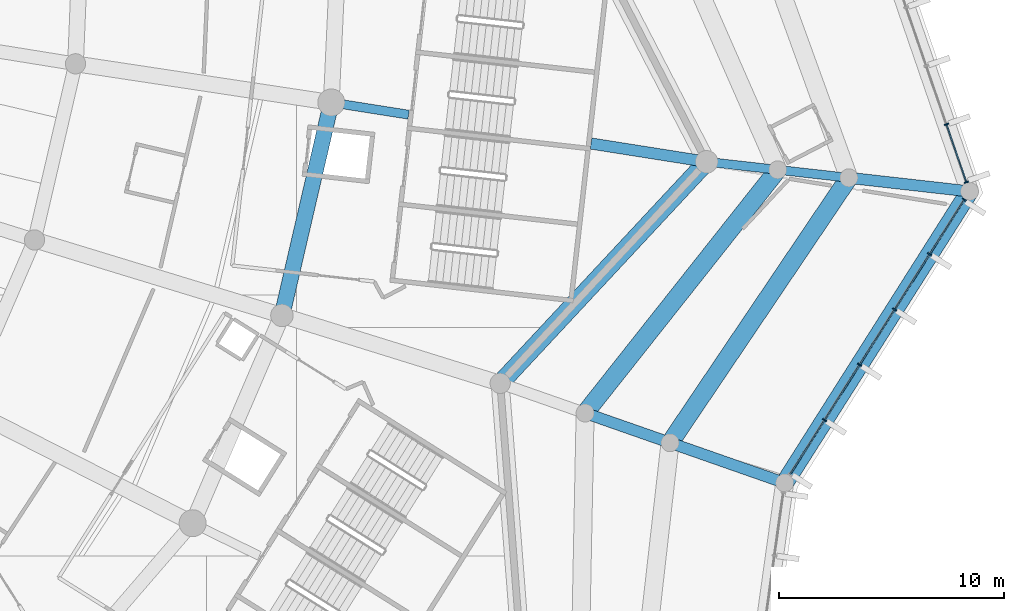
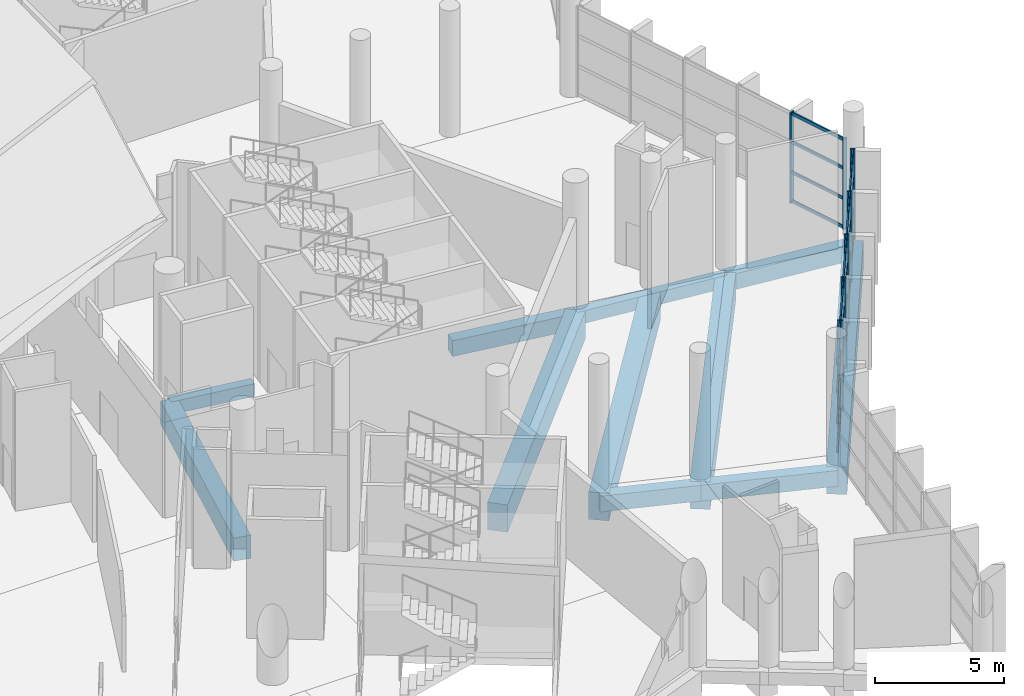
# One storey, part 40 of 249: 31 members, 12 beams, 2 elements without a shape of their own.
"""IFC4 building model written with IfcOpenShell, lengths in metres."""

from ifc_helpers import new_model, si_unit, direction, frame, origin, origin_2d, place, context, subcontext, project, spatial, rectangle, extrude, material, layer, layer_set, material_profile, profile_set, type_object, element, aggregate, save


model = new_model("IFC4")

# Units and contexts
model_context = context("Model", 3, precision=1e-05, world=origin(), true_north=direction((0.0, 1.0)))
body_context = subcontext(model_context, "Body", "Model", "MODEL_VIEW")
ifc_project = project(units=[si_unit("LENGTHUNIT", "METRE"), si_unit("AREAUNIT", "SQUARE_METRE"), si_unit("VOLUMEUNIT", "CUBIC_METRE"), si_unit("PLANEANGLEUNIT", "RADIAN"), si_unit("MASSUNIT", "GRAM", prefix="KILO")], contexts=[model_context])

# Site, building, storey
site_placement = place(None, origin())
site = spatial("IfcSite", under=ifc_project, at=site_placement, CompositionType="ELEMENT")
building_placement = place(site_placement, origin())
building = spatial("IfcBuilding", under=site, at=building_placement, Name="Meseta Stadium", CompositionType="ELEMENT")
storey_placement = place(building_placement, frame((0.0, 0.0, 12.0)))
storey = spatial("IfcBuildingStorey", under=building, at=storey_placement, Name="L02", CompositionType="ELEMENT", Elevation=12.0)

# Beams
ifc_material_1 = material(Name="Concrete C40/50", Category="concrete")
ifc_material_profile_1 = material_profile(ifc_material_1, rectangle(XDim=0.39990234375, YDim=0.60009765625, at=origin_2d()), Name="RC 400x600")
ifc_profile_set_1 = profile_set([ifc_material_profile_1], Name="Concrete C40/50")
beam_type_1 = type_object("IfcBeamType", Name="RC beam 400x600", PredefinedType="BEAM", material=ifc_profile_set_1)
beam_1_placement = place(storey_placement, frame((84.36328125, -53.5654296875, -0.64990234375), z_axis=(0.987745905014, -0.156070583799, 0.0), x_axis=(0.156070583799, 0.987745905014, 0.0)))
element("IfcBeam", 1, at=beam_1_placement, inside=storey, type_object=beam_type_1, Name="L02 radial beam frame 0 line P to R", PredefinedType="BEAM", context=body_context, shape_type="SweptSolid", body=[
    extrude(rectangle(XDim=0.39990234375, YDim=0.60009765625, at=origin_2d()), origin(), (0.0, 0.0, 1.0), 3.482177734375),
])
beam_2_placement = place(storey_placement, frame((101.0517578125, -56.202880859375, -0.64990234375), z_axis=(0.99371595508, -0.111931231652, 0.0), x_axis=(0.111931231652, 0.99371595508, 0.0)))
element("IfcBeam", 2, at=beam_2_placement, inside=storey, type_object=beam_type_1, Name="L02 radial beam frame 0 line R to M", PredefinedType="BEAM", context=body_context, shape_type="SweptSolid", body=[
    extrude(rectangle(XDim=0.39990234375, YDim=0.60009765625, at=origin_2d()), origin(), (0.0, 0.0, 1.0), 3.18017578125),
])
beam_3_placement = place(storey_placement, frame((104.2119140625, -56.558837890625, -0.64990234375), z_axis=(0.993708376267, -0.111998495247, 0.0), x_axis=(0.111998495247, 0.993708376267, 0.0)))
element("IfcBeam", 3, at=beam_3_placement, inside=storey, type_object=beam_type_1, Name="L02 radial beam frame 0 line M to Q", PredefinedType="BEAM", context=body_context, shape_type="SweptSolid", body=[
    extrude(rectangle(XDim=0.39990234375, YDim=0.60009765625, at=origin_2d()), origin(), (0.0, 0.0, 1.0), 3.180419921875),
])
ifc_material_2 = material(Name="Concrete C40/50", Category="concrete")
ifc_material_profile_2 = material_profile(ifc_material_2, rectangle(XDim=0.5, YDim=0.75, at=origin_2d()), Name="RC 500x750")
ifc_profile_set_2 = profile_set([ifc_material_profile_2], Name="Concrete C40/50")
beam_type_2 = type_object("IfcBeamType", Name="RC beam 500x750", PredefinedType="BEAM", material=ifc_profile_set_2)
beam_4_placement = place(storey_placement, frame((95.910400390625, -55.390380859375, -0.72509765625), z_axis=(0.987742039994, -0.156095042932, 0.0), x_axis=(0.156095042932, 0.987742039994, 0.0)))
element("IfcBeam", 4, at=beam_4_placement, inside=storey, type_object=beam_type_2, Name="L02 radial beam frame 0 line P to R", PredefinedType="BEAM", context=body_context, shape_type="SweptSolid", body=[
    extrude(rectangle(XDim=0.5, YDim=0.75, at=origin_2d()), origin(), (0.0, 0.0, 1.0), 5.205078125),
])
beam_5_placement = place(storey_placement, frame((107.372314453125, -56.9150390625, -0.72509765625), z_axis=(0.993714415722, -0.111944897098, 0.0), x_axis=(0.111944897098, 0.993714415722, 0.0)))
element("IfcBeam", 5, at=beam_5_placement, inside=storey, type_object=beam_type_2, Name="L02 radial beam frame 0 line Q to O", PredefinedType="BEAM", context=body_context, shape_type="SweptSolid", body=[
    extrude(rectangle(XDim=0.5, YDim=0.75, at=origin_2d()), origin(), (0.0, 0.0, 1.0), 5.39990234375),
])
beam_6_placement = place(storey_placement, frame((95.648193359375, -67.372802734375, -0.72509765625), z_axis=(0.94389165523, -0.330255269735, 0.0), x_axis=(0.330255269735, 0.94389165523, 0.0)))
element("IfcBeam", 6, at=beam_6_placement, inside=storey, type_object=beam_type_2, Name="L02 radial beam frame 55 line M to Q", PredefinedType="BEAM", context=body_context, shape_type="SweptSolid", body=[
    extrude(rectangle(XDim=0.5, YDim=0.75, at=origin_2d()), origin(), (0.0, 0.0, 1.0), 4.0),
])
beam_7_placement = place(storey_placement, frame((99.423828125, -68.69384765625, -0.72509765625), z_axis=(0.943885842652, -0.330271882003, 0.0), x_axis=(0.330271882003, 0.943885842652, 0.0)))
element("IfcBeam", 7, at=beam_7_placement, inside=storey, type_object=beam_type_2, Name="L02 radial beam frame 55 line Q to O", PredefinedType="BEAM", context=body_context, shape_type="SweptSolid", body=[
    extrude(rectangle(XDim=0.5, YDim=0.75, at=origin_2d()), origin(), (0.0, 0.0, 1.0), 5.39990234375),
])
ifc_material_3 = material(Name="Concrete C40/50", Category="concrete")
ifc_material_profile_3 = material_profile(ifc_material_3, rectangle(XDim=0.699951171875, YDim=1.10009765625, at=origin_2d()), Name="RC 700x1100")
ifc_profile_set_3 = profile_set([ifc_material_profile_3], Name="Concrete C40/50")
beam_type_3 = type_object("IfcBeamType", Name="RC beam 700x1100", PredefinedType="BEAM", material=ifc_profile_set_3)
beam_8_placement = place(storey_placement, frame((82.169189453125, -63.03369140625, -0.89990234375), z_axis=(0.225749180431, 0.974185458491, 0.0), x_axis=(-0.974185458491, 0.225749180431, 0.0)))
element("IfcBeam", 8, at=beam_8_placement, inside=storey, type_object=beam_type_3, Name="L02 ring beam frame 55 line P", PredefinedType="BEAM", context=body_context, shape_type="SweptSolid", body=[
    extrude(rectangle(XDim=0.699951171875, YDim=1.10009765625, at=origin_2d()), origin(), (0.0, 0.0, 1.0), 9.71923828125),
])
ifc_material_4 = material(Name="Concrete C40/50", Category="concrete")
ifc_material_profile_4 = material_profile(ifc_material_4, rectangle(XDim=0.800048828125, YDim=1.300048828125, at=origin_2d()), Name="RC 800x1300")
ifc_profile_set_4 = profile_set([ifc_material_profile_4], Name="Concrete C40/50")
beam_type_4 = type_object("IfcBeamType", Name="RC beam 800x1300", PredefinedType="BEAM", material=ifc_profile_set_4)
beam_9_placement = place(storey_placement, frame((91.872802734375, -66.051513671875, -1.0), z_axis=(0.681797952889, 0.73154053301, 0.0), x_axis=(-0.73154053301, 0.681797952889, 0.0)))
element("IfcBeam", 9, at=beam_9_placement, inside=storey, type_object=beam_type_4, Name="L02 ring beam frame 55 line R", PredefinedType="BEAM", context=body_context, shape_type="SweptSolid", body=[
    extrude(rectangle(XDim=0.800048828125, YDim=1.300048828125, at=origin_2d()), origin(), (0.0, 0.0, 1.0), 13.462890625),
])
beam_10_placement = place(storey_placement, frame((95.648193359375, -67.372802734375, -1.0), z_axis=(0.620821710153, 0.783951786912, 0.0), x_axis=(-0.783951786912, 0.620821710153, 0.0)))
element("IfcBeam", 10, at=beam_10_placement, inside=storey, type_object=beam_type_4, Name="L02 ring beam frame 55 line M", PredefinedType="BEAM", context=body_context, shape_type="SweptSolid", body=[
    extrude(rectangle(XDim=0.800048828125, YDim=1.300048828125, at=origin_2d()), origin(), (0.0, 0.0, 1.0), 13.794189453125),
])
beam_11_placement = place(storey_placement, frame((99.423828125, -68.69384765625, -1.0), z_axis=(0.559366030795, 0.828920770395, 0.0), x_axis=(-0.828920770395, 0.559366030795, 0.0)))
element("IfcBeam", 11, at=beam_11_placement, inside=storey, type_object=beam_type_4, Name="L02 ring beam frame 55 line Q", PredefinedType="BEAM", context=body_context, shape_type="SweptSolid", body=[
    extrude(rectangle(XDim=0.800048828125, YDim=1.300048828125, at=origin_2d()), origin(), (0.0, 0.0, 1.0), 14.209716796875),
])
beam_12_placement = place(storey_placement, frame((104.520751953125, -70.477294921875, -1.0), z_axis=(0.535561122927, 0.844496467493, 0.0), x_axis=(-0.844496467493, 0.535561122927, 0.0)))
element("IfcBeam", 12, at=beam_12_placement, inside=storey, type_object=beam_type_4, Name="L02 ring beam frame 55 line O", PredefinedType="BEAM", context=body_context, shape_type="SweptSolid", body=[
    extrude(rectangle(XDim=0.800048828125, YDim=1.300048828125, at=origin_2d()), origin(), (0.0, 0.0, 1.0), 15.34375),
])

# Curtain wall, members
ifc_material_5 = material(Name="Aluminium", Category="aluminium")
ifc_layer = layer(ifc_material_5, 0.199951171875)
ifc_layer_set = layer_set([ifc_layer], Name="Ring shopfront curtain wall")
curtain_wall_type = type_object("IfcCurtainWallType", Name="Ring shopfront curtain wall", PredefinedType="NOTDEFINED", material=ifc_layer_set)
curtain_wall_1_placement = place(storey_placement, origin())
curtain_wall_1 = element("IfcCurtainWall", 13, at=curtain_wall_1_placement, inside=storey, type_object=curtain_wall_type, Name="Ring glazing L02 F55", PredefinedType="NOTDEFINED")
ifc_material_6 = material(Name="Aluminium", Category="aluminium")
ifc_material_profile_5 = material_profile(ifc_material_6, rectangle(XDim=0.199951171875, YDim=0.06005859375, at=origin_2d()), Name="CW 200x60")
ifc_profile_set_5 = profile_set([ifc_material_profile_5], Name="Aluminium")
member_type_1 = type_object("IfcMemberType", Name="Ring CW mullion 60x200", PredefinedType="MULLION", material=ifc_profile_set_5)
member_1_placement = place(storey_placement, frame((106.292724609375, -67.68310546875, 0.0), z_axis=(0.0, 0.0, 1.0), x_axis=(-0.844491436677, 0.535569055659, 0.0)))
member_1 = element("IfcMember", 14, at=member_1_placement, type_object=member_type_1, Name="CWR1 mullion 2", PredefinedType="MULLION", context=body_context, shape_type="SweptSolid", body=[
    extrude(rectangle(XDim=0.199951171875, YDim=0.06005859375, at=origin_2d()), origin(), (0.0, 0.0, 1.0), 4.300048828125),
])
member_2_placement = place(storey_placement, frame((107.8505859375, -65.2265625, 0.0), z_axis=(0.0, 0.0, 1.0), x_axis=(-0.844491436677, 0.535569055659, 0.0)))
member_2 = element("IfcMember", 15, at=member_2_placement, type_object=member_type_1, Name="CWR1 mullion 3", PredefinedType="MULLION", context=body_context, shape_type="SweptSolid", body=[
    extrude(rectangle(XDim=0.199951171875, YDim=0.06005859375, at=origin_2d()), origin(), (0.0, 0.0, 1.0), 4.300048828125),
])
member_3_placement = place(storey_placement, frame((109.408447265625, -62.770263671875, 0.0), z_axis=(0.0, 0.0, 1.0), x_axis=(-0.844491436677, 0.535569055659, 0.0)))
member_3 = element("IfcMember", 16, at=member_3_placement, type_object=member_type_1, Name="CWR1 mullion 4", PredefinedType="MULLION", context=body_context, shape_type="SweptSolid", body=[
    extrude(rectangle(XDim=0.199951171875, YDim=0.06005859375, at=origin_2d()), origin(), (0.0, 0.0, 1.0), 4.300048828125),
])
member_4_placement = place(storey_placement, frame((110.96630859375, -60.313720703125, 0.0), z_axis=(0.0, 0.0, 1.0), x_axis=(-0.844491436677, 0.535569055659, 0.0)))
member_4 = element("IfcMember", 17, at=member_4_placement, type_object=member_type_1, Name="CWR1 mullion 5", PredefinedType="MULLION", context=body_context, shape_type="SweptSolid", body=[
    extrude(rectangle(XDim=0.199951171875, YDim=0.06005859375, at=origin_2d()), origin(), (0.0, 0.0, 1.0), 4.300048828125),
])
member_5_placement = place(storey_placement, frame((112.508056640625, -57.8828125, 0.0), z_axis=(0.0, 0.0, 1.0), x_axis=(-0.844491436677, 0.535569055659, 0.0)))
member_5 = element("IfcMember", 18, at=member_5_placement, type_object=member_type_1, Name="CWR1 mullion 6", PredefinedType="MULLION", context=body_context, shape_type="SweptSolid", body=[
    extrude(rectangle(XDim=0.199951171875, YDim=0.06005859375, at=origin_2d()), origin(), (0.0, 0.0, 1.0), 4.300048828125),
])

curtain_wall_2_placement = place(storey_placement, origin())
curtain_wall_2 = element("IfcCurtainWall", 19, at=curtain_wall_2_placement, inside=storey, type_object=curtain_wall_type, Name="Ring glazing L02 F00", PredefinedType="NOTDEFINED")
member_6_placement = place(storey_placement, frame((112.598388671875, -57.113037109375, 0.0), z_axis=(0.0, 0.0, 1.0), x_axis=(-0.945581280042, -0.325385990532, 0.0)))
member_6 = element("IfcMember", 20, at=member_6_placement, type_object=member_type_1, Name="CWR1 mullion 1", PredefinedType="MULLION", context=body_context, shape_type="SweptSolid", body=[
    extrude(rectangle(XDim=0.199951171875, YDim=0.06005859375, at=origin_2d()), origin(), (0.0, 0.0, 1.0), 4.300048828125),
])
member_7_placement = place(storey_placement, frame((111.712646484375, -54.538818359375, 0.0), z_axis=(0.0, 0.0, 1.0), x_axis=(-0.945581280042, -0.325385990532, 0.0)))
member_7 = element("IfcMember", 21, at=member_7_placement, type_object=member_type_1, Name="CWR1 mullion 2", PredefinedType="MULLION", context=body_context, shape_type="SweptSolid", body=[
    extrude(rectangle(XDim=0.199951171875, YDim=0.06005859375, at=origin_2d()), origin(), (0.0, 0.0, 1.0), 4.300048828125),
])

# Member
ifc_material_7 = material(Name="Aluminium", Category="aluminium")
ifc_material_profile_6 = material_profile(ifc_material_7, rectangle(XDim=0.06005859375, YDim=0.14990234375, at=origin_2d()), Name="CW 60x150")
ifc_profile_set_6 = profile_set([ifc_material_profile_6], Name="Aluminium")
member_type_2 = type_object("IfcMemberType", Name="Ring CW transom 60x150", PredefinedType="USERDEFINED", material=ifc_profile_set_6)
member_8_placement = place(storey_placement, frame((104.76708984375, -70.0888671875, 0.074951171875), z_axis=(0.53560831474, 0.844466537632, 0.0), x_axis=(-0.844466537632, 0.53560831474, 0.0)))
member_8 = element("IfcMember", 22, at=member_8_placement, type_object=member_type_2, Name="CWR1 transom 1.1", ObjectType="TRANSOM", PredefinedType="USERDEFINED", context=body_context, shape_type="SweptSolid", body=[
    extrude(rectangle(XDim=0.06005859375, YDim=0.14990234375, at=origin_2d()), origin(), (0.0, 0.0, 1.0), 2.81884765625),
])

member_9_placement = place(storey_placement, frame((104.76708984375, -70.0888671875, 1.433349609375), z_axis=(0.53560831474, 0.844466537632, 0.0), x_axis=(-0.844466537632, 0.53560831474, 0.0)))
member_9 = element("IfcMember", 23, at=member_9_placement, type_object=member_type_2, Name="CWR1 transom 1.2", ObjectType="TRANSOM", PredefinedType="USERDEFINED", context=body_context, shape_type="SweptSolid", body=[
    extrude(rectangle(XDim=0.06005859375, YDim=0.14990234375, at=origin_2d()), origin(), (0.0, 0.0, 1.0), 2.81884765625),
])

member_10_placement = place(storey_placement, frame((104.76708984375, -70.0888671875, 2.86669921875), z_axis=(0.53560831474, 0.844466537632, 0.0), x_axis=(-0.844466537632, 0.53560831474, 0.0)))
member_10 = element("IfcMember", 24, at=member_10_placement, type_object=member_type_2, Name="CWR1 transom 1.3", ObjectType="TRANSOM", PredefinedType="USERDEFINED", context=body_context, shape_type="SweptSolid", body=[
    extrude(rectangle(XDim=0.06005859375, YDim=0.14990234375, at=origin_2d()), origin(), (0.0, 0.0, 1.0), 2.81884765625),
])

member_11_placement = place(storey_placement, frame((104.76708984375, -70.0888671875, 4.22509765625), z_axis=(0.53560831474, 0.844466537632, 0.0), x_axis=(-0.844466537632, 0.53560831474, 0.0)))
member_11 = element("IfcMember", 25, at=member_11_placement, type_object=member_type_2, Name="CWR1 transom 1.4", ObjectType="TRANSOM", PredefinedType="USERDEFINED", context=body_context, shape_type="SweptSolid", body=[
    extrude(rectangle(XDim=0.06005859375, YDim=0.14990234375, at=origin_2d()), origin(), (0.0, 0.0, 1.0), 2.81884765625),
])

member_12_placement = place(storey_placement, frame((106.308837890625, -67.65771484375, 0.074951171875), z_axis=(0.535610596293, 0.844465090539, 0.0), x_axis=(-0.844465090539, 0.535610596293, 0.0)))
member_12 = element("IfcMember", 26, at=member_12_placement, type_object=member_type_2, Name="CWR1 transom 2.1", ObjectType="TRANSOM", PredefinedType="USERDEFINED", context=body_context, shape_type="SweptSolid", body=[
    extrude(rectangle(XDim=0.06005859375, YDim=0.14990234375, at=origin_2d()), origin(), (0.0, 0.0, 1.0), 2.848876953125),
])

member_13_placement = place(storey_placement, frame((106.308837890625, -67.65771484375, 1.433349609375), z_axis=(0.535610596293, 0.844465090539, 0.0), x_axis=(-0.844465090539, 0.535610596293, 0.0)))
member_13 = element("IfcMember", 27, at=member_13_placement, type_object=member_type_2, Name="CWR1 transom 2.2", ObjectType="TRANSOM", PredefinedType="USERDEFINED", context=body_context, shape_type="SweptSolid", body=[
    extrude(rectangle(XDim=0.06005859375, YDim=0.14990234375, at=origin_2d()), origin(), (0.0, 0.0, 1.0), 2.848876953125),
])

member_14_placement = place(storey_placement, frame((106.308837890625, -67.65771484375, 2.86669921875), z_axis=(0.535610596293, 0.844465090539, 0.0), x_axis=(-0.844465090539, 0.535610596293, 0.0)))
member_14 = element("IfcMember", 28, at=member_14_placement, type_object=member_type_2, Name="CWR1 transom 2.3", ObjectType="TRANSOM", PredefinedType="USERDEFINED", context=body_context, shape_type="SweptSolid", body=[
    extrude(rectangle(XDim=0.06005859375, YDim=0.14990234375, at=origin_2d()), origin(), (0.0, 0.0, 1.0), 2.848876953125),
])

member_15_placement = place(storey_placement, frame((106.308837890625, -67.65771484375, 4.22509765625), z_axis=(0.535610596293, 0.844465090539, 0.0), x_axis=(-0.844465090539, 0.535610596293, 0.0)))
member_15 = element("IfcMember", 29, at=member_15_placement, type_object=member_type_2, Name="CWR1 transom 2.4", ObjectType="TRANSOM", PredefinedType="USERDEFINED", context=body_context, shape_type="SweptSolid", body=[
    extrude(rectangle(XDim=0.06005859375, YDim=0.14990234375, at=origin_2d()), origin(), (0.0, 0.0, 1.0), 2.848876953125),
])

member_16_placement = place(storey_placement, frame((107.86669921875, -65.201416015625, 0.074951171875), z_axis=(0.535549479234, 0.844503851556, 0.0), x_axis=(-0.844503851556, 0.535549479234, 0.0)))
member_16 = element("IfcMember", 30, at=member_16_placement, type_object=member_type_2, Name="CWR1 transom 3.1", ObjectType="TRANSOM", PredefinedType="USERDEFINED", context=body_context, shape_type="SweptSolid", body=[
    extrude(rectangle(XDim=0.06005859375, YDim=0.14990234375, at=origin_2d()), origin(), (0.0, 0.0, 1.0), 2.8486328125),
])

member_17_placement = place(storey_placement, frame((107.86669921875, -65.201416015625, 1.433349609375), z_axis=(0.535549479234, 0.844503851556, 0.0), x_axis=(-0.844503851556, 0.535549479234, 0.0)))
member_17 = element("IfcMember", 31, at=member_17_placement, type_object=member_type_2, Name="CWR1 transom 3.2", ObjectType="TRANSOM", PredefinedType="USERDEFINED", context=body_context, shape_type="SweptSolid", body=[
    extrude(rectangle(XDim=0.06005859375, YDim=0.14990234375, at=origin_2d()), origin(), (0.0, 0.0, 1.0), 2.8486328125),
])

member_18_placement = place(storey_placement, frame((107.86669921875, -65.201416015625, 2.86669921875), z_axis=(0.535549479234, 0.844503851556, 0.0), x_axis=(-0.844503851556, 0.535549479234, 0.0)))
member_18 = element("IfcMember", 32, at=member_18_placement, type_object=member_type_2, Name="CWR1 transom 3.3", ObjectType="TRANSOM", PredefinedType="USERDEFINED", context=body_context, shape_type="SweptSolid", body=[
    extrude(rectangle(XDim=0.06005859375, YDim=0.14990234375, at=origin_2d()), origin(), (0.0, 0.0, 1.0), 2.8486328125),
])

member_19_placement = place(storey_placement, frame((107.86669921875, -65.201416015625, 4.22509765625), z_axis=(0.535549479234, 0.844503851556, 0.0), x_axis=(-0.844503851556, 0.535549479234, 0.0)))
member_19 = element("IfcMember", 33, at=member_19_placement, type_object=member_type_2, Name="CWR1 transom 3.4", ObjectType="TRANSOM", PredefinedType="USERDEFINED", context=body_context, shape_type="SweptSolid", body=[
    extrude(rectangle(XDim=0.06005859375, YDim=0.14990234375, at=origin_2d()), origin(), (0.0, 0.0, 1.0), 2.8486328125),
])

member_20_placement = place(storey_placement, frame((109.424560546875, -62.744873046875, 0.074951171875), z_axis=(0.535549479234, 0.844503851556, 0.0), x_axis=(-0.844503851556, 0.535549479234, 0.0)))
member_20 = element("IfcMember", 34, at=member_20_placement, type_object=member_type_2, Name="CWR1 transom 4.1", ObjectType="TRANSOM", PredefinedType="USERDEFINED", context=body_context, shape_type="SweptSolid", body=[
    extrude(rectangle(XDim=0.06005859375, YDim=0.14990234375, at=origin_2d()), origin(), (0.0, 0.0, 1.0), 2.8486328125),
])

member_21_placement = place(storey_placement, frame((109.424560546875, -62.744873046875, 1.433349609375), z_axis=(0.535549479234, 0.844503851556, 0.0), x_axis=(-0.844503851556, 0.535549479234, 0.0)))
member_21 = element("IfcMember", 35, at=member_21_placement, type_object=member_type_2, Name="CWR1 transom 4.2", ObjectType="TRANSOM", PredefinedType="USERDEFINED", context=body_context, shape_type="SweptSolid", body=[
    extrude(rectangle(XDim=0.06005859375, YDim=0.14990234375, at=origin_2d()), origin(), (0.0, 0.0, 1.0), 2.8486328125),
])

member_22_placement = place(storey_placement, frame((109.424560546875, -62.744873046875, 2.86669921875), z_axis=(0.535549479234, 0.844503851556, 0.0), x_axis=(-0.844503851556, 0.535549479234, 0.0)))
member_22 = element("IfcMember", 36, at=member_22_placement, type_object=member_type_2, Name="CWR1 transom 4.3", ObjectType="TRANSOM", PredefinedType="USERDEFINED", context=body_context, shape_type="SweptSolid", body=[
    extrude(rectangle(XDim=0.06005859375, YDim=0.14990234375, at=origin_2d()), origin(), (0.0, 0.0, 1.0), 2.8486328125),
])

member_23_placement = place(storey_placement, frame((109.424560546875, -62.744873046875, 4.22509765625), z_axis=(0.535549479234, 0.844503851556, 0.0), x_axis=(-0.844503851556, 0.535549479234, 0.0)))
member_23 = element("IfcMember", 37, at=member_23_placement, type_object=member_type_2, Name="CWR1 transom 4.4", ObjectType="TRANSOM", PredefinedType="USERDEFINED", context=body_context, shape_type="SweptSolid", body=[
    extrude(rectangle(XDim=0.06005859375, YDim=0.14990234375, at=origin_2d()), origin(), (0.0, 0.0, 1.0), 2.8486328125),
])

member_24_placement = place(storey_placement, frame((110.982421875, -60.28857421875, 0.074951171875), z_axis=(0.535569142157, 0.84449138182, 0.0), x_axis=(-0.84449138182, 0.535569142157, 0.0)))
member_24 = element("IfcMember", 38, at=member_24_placement, type_object=member_type_2, Name="CWR1 transom 5.1", ObjectType="TRANSOM", PredefinedType="USERDEFINED", context=body_context, shape_type="SweptSolid", body=[
    extrude(rectangle(XDim=0.06005859375, YDim=0.14990234375, at=origin_2d()), origin(), (0.0, 0.0, 1.0), 2.819091796875),
])

member_25_placement = place(storey_placement, frame((110.982421875, -60.28857421875, 1.433349609375), z_axis=(0.535569142157, 0.84449138182, 0.0), x_axis=(-0.84449138182, 0.535569142157, 0.0)))
member_25 = element("IfcMember", 39, at=member_25_placement, type_object=member_type_2, Name="CWR1 transom 5.2", ObjectType="TRANSOM", PredefinedType="USERDEFINED", context=body_context, shape_type="SweptSolid", body=[
    extrude(rectangle(XDim=0.06005859375, YDim=0.14990234375, at=origin_2d()), origin(), (0.0, 0.0, 1.0), 2.819091796875),
])

member_26_placement = place(storey_placement, frame((110.982421875, -60.28857421875, 2.86669921875), z_axis=(0.535569142157, 0.84449138182, 0.0), x_axis=(-0.84449138182, 0.535569142157, 0.0)))
member_26 = element("IfcMember", 40, at=member_26_placement, type_object=member_type_2, Name="CWR1 transom 5.3", ObjectType="TRANSOM", PredefinedType="USERDEFINED", context=body_context, shape_type="SweptSolid", body=[
    extrude(rectangle(XDim=0.06005859375, YDim=0.14990234375, at=origin_2d()), origin(), (0.0, 0.0, 1.0), 2.819091796875),
])

member_27_placement = place(storey_placement, frame((110.982421875, -60.28857421875, 4.22509765625), z_axis=(0.535569142157, 0.84449138182, 0.0), x_axis=(-0.84449138182, 0.535569142157, 0.0)))
member_27 = element("IfcMember", 41, at=member_27_placement, type_object=member_type_2, Name="CWR1 transom 5.4", ObjectType="TRANSOM", PredefinedType="USERDEFINED", context=body_context, shape_type="SweptSolid", body=[
    extrude(rectangle(XDim=0.06005859375, YDim=0.14990234375, at=origin_2d()), origin(), (0.0, 0.0, 1.0), 2.819091796875),
])

aggregate(curtain_wall_1, [member_1, member_2, member_3, member_4, member_5, member_8, member_9, member_10, member_11, member_12, member_13, member_14, member_15, member_16, member_17, member_18, member_19, member_20, member_21, member_22, member_23, member_24, member_25, member_26, member_27])

member_28_placement = place(storey_placement, frame((112.588623046875, -57.084716796875, 0.074951171875), z_axis=(-0.325346281899, 0.945594943332, 0.0), x_axis=(-0.945594943332, -0.325346281899, 0.0)))
member_28 = element("IfcMember", 42, at=member_28_placement, type_object=member_type_2, Name="CWR1 transom 1.1", ObjectType="TRANSOM", PredefinedType="USERDEFINED", context=body_context, shape_type="SweptSolid", body=[
    extrude(rectangle(XDim=0.06005859375, YDim=0.14990234375, at=origin_2d()), origin(), (0.0, 0.0, 1.0), 2.662353515625),
])

member_29_placement = place(storey_placement, frame((112.588623046875, -57.084716796875, 1.433349609375), z_axis=(-0.325346281899, 0.945594943332, 0.0), x_axis=(-0.945594943332, -0.325346281899, 0.0)))
member_29 = element("IfcMember", 43, at=member_29_placement, type_object=member_type_2, Name="CWR1 transom 1.2", ObjectType="TRANSOM", PredefinedType="USERDEFINED", context=body_context, shape_type="SweptSolid", body=[
    extrude(rectangle(XDim=0.06005859375, YDim=0.14990234375, at=origin_2d()), origin(), (0.0, 0.0, 1.0), 2.662353515625),
])

member_30_placement = place(storey_placement, frame((112.588623046875, -57.084716796875, 2.86669921875), z_axis=(-0.325346281899, 0.945594943332, 0.0), x_axis=(-0.945594943332, -0.325346281899, 0.0)))
member_30 = element("IfcMember", 44, at=member_30_placement, type_object=member_type_2, Name="CWR1 transom 1.3", ObjectType="TRANSOM", PredefinedType="USERDEFINED", context=body_context, shape_type="SweptSolid", body=[
    extrude(rectangle(XDim=0.06005859375, YDim=0.14990234375, at=origin_2d()), origin(), (0.0, 0.0, 1.0), 2.662353515625),
])

member_31_placement = place(storey_placement, frame((112.588623046875, -57.084716796875, 4.22509765625), z_axis=(-0.325346281899, 0.945594943332, 0.0), x_axis=(-0.945594943332, -0.325346281899, 0.0)))
member_31 = element("IfcMember", 45, at=member_31_placement, type_object=member_type_2, Name="CWR1 transom 1.4", ObjectType="TRANSOM", PredefinedType="USERDEFINED", context=body_context, shape_type="SweptSolid", body=[
    extrude(rectangle(XDim=0.06005859375, YDim=0.14990234375, at=origin_2d()), origin(), (0.0, 0.0, 1.0), 2.662353515625),
])

aggregate(curtain_wall_2, [member_6, member_7, member_28, member_29, member_30, member_31])

save(model, "model.ifc")
